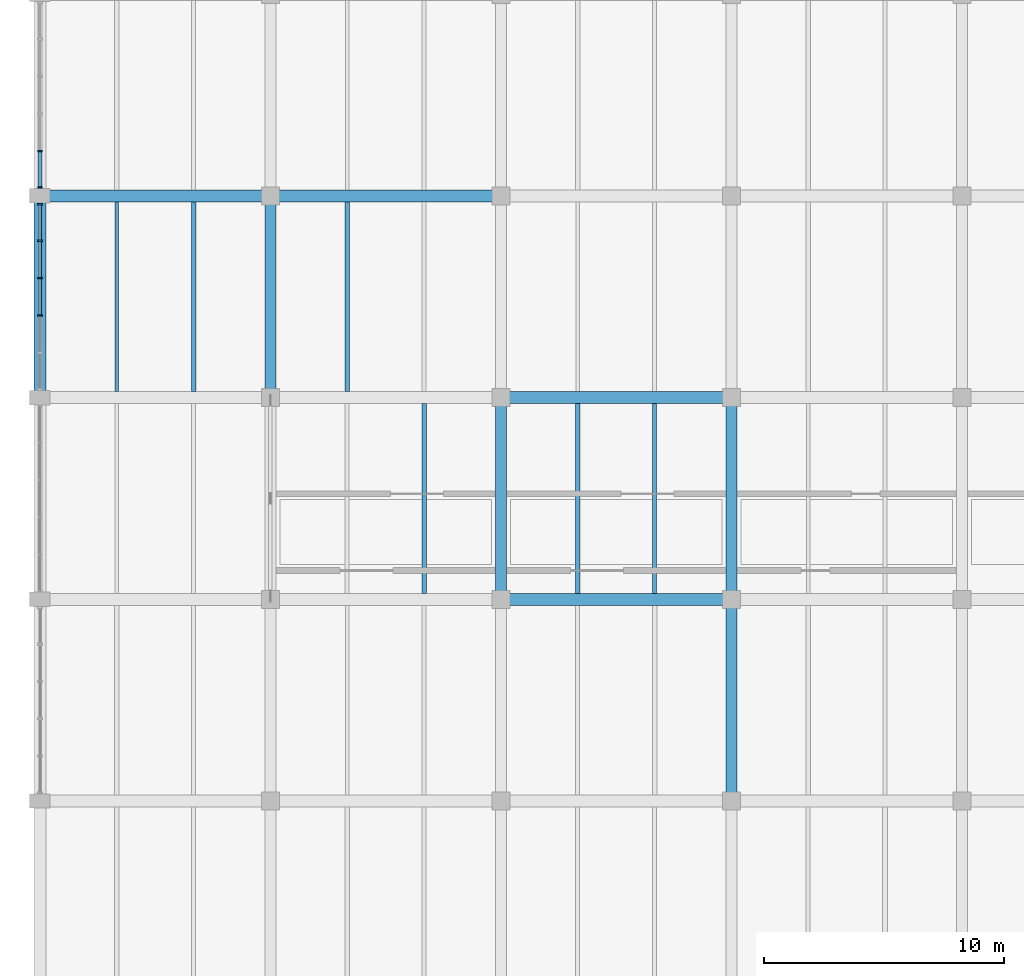
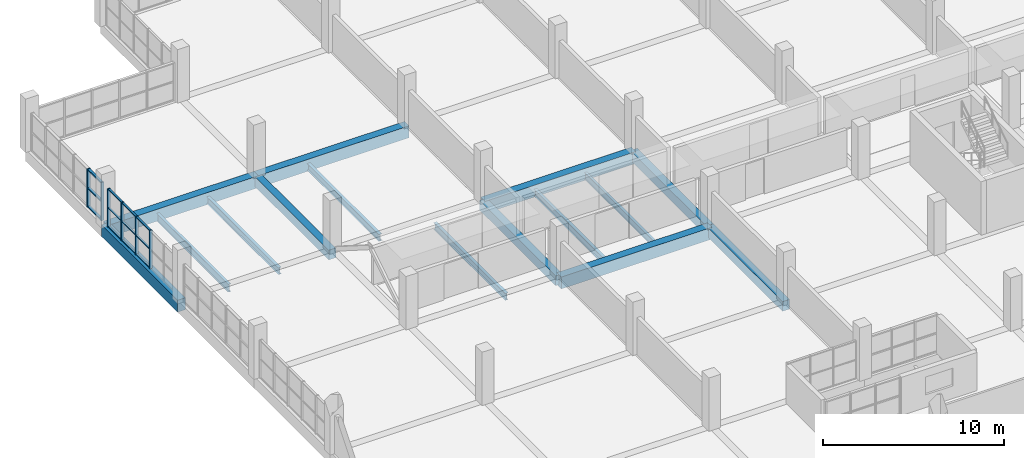
# One storey, part 38 of 147: 18 members, 15 beams, 2 elements without a shape of their own.
"""IFC4 building model written with IfcOpenShell, lengths in metres."""

import ifcopenshell
import ifcopenshell.guid

model = None  # the IFC model being written
_history = None  # IfcOwnerHistory: only IFC2X3 demands one
_inside = {}  # id of a spatial element -> (the spatial element, [elements in it])
_under = {}  # id of a project, library or spatial element -> (it, [spatial elements below it])
_declared = {}  # id of a project -> (the project, [libraries it declares])
_typed = {}  # id of a type object -> (the type object, [elements of that type])
_made_of = {}  # id of a material, layer set ... -> (it, [elements and type objects made of it])


def new_model(schema):
    """Start an empty IFC model of exactly this schema.

    Asked for "IFC4X3", IfcOpenShell would pick the latest addendum, in which some entities
    have other attributes; the version numbers below select the first issue.
    IFC2X3 requires an IfcOwnerHistory on every rooted entity: one is made here for all.
    """
    global model, _history
    if schema == "IFC4X3":
        model = ifcopenshell.file(schema_version=(4, 3, 0, 0))
    else:
        model = ifcopenshell.file(schema=schema)
    _inside.clear()
    _under.clear()
    _declared.clear()
    _typed.clear()
    _made_of.clear()
    _history = None
    if model.schema == "IFC2X3":
        org = make("IfcOrganization", Name="unknown")
        user = make(
            "IfcPersonAndOrganization",
            ThePerson=make("IfcPerson", FamilyName="unknown"),
            TheOrganization=org,
        )
        app = make(
            "IfcApplication",
            ApplicationDeveloper=org,
            Version="unknown",
            ApplicationFullName="unknown",
            ApplicationIdentifier="unknown",
        )
        _history = make(
            "IfcOwnerHistory",
            OwningUser=user,
            OwningApplication=app,
            ChangeAction="ADDED",
            CreationDate=0,
        )
    return model


def make(cls, **values):
    """One entity of the class cls with the attributes given. An attribute that is None is left unset."""
    return model.create_entity(
        cls, **{name: value for name, value in values.items() if value is not None}
    )


def rooted(cls, **values):
    """An entity with a GlobalId (a new one), such as an element, a storey or a relation."""
    return make(cls, GlobalId=ifcopenshell.guid.new(), OwnerHistory=_history, **values)


def si_unit(unit_type, name, prefix=None):
    """IfcSIUnit, for example si_unit("LENGTHUNIT", "METRE", prefix="MILLI")."""
    return make("IfcSIUnit", UnitType=unit_type, Prefix=prefix, Name=name)


def assignment(units):
    """IfcUnitAssignment: the units of a project."""
    return None if units is None else make("IfcUnitAssignment", Units=units)


def point(xyz):
    """IfcCartesianPoint."""
    return None if xyz is None else make("IfcCartesianPoint", Coordinates=xyz)


def direction(xyz):
    """IfcDirection."""
    return None if xyz is None else make("IfcDirection", DirectionRatios=xyz)


def frame(location, z_axis=None, x_axis=None):
    """IfcAxis2Placement3D, a coordinate frame: its origin and axes. An axis left out is left unset."""
    return make(
        "IfcAxis2Placement3D",
        Location=point(location),
        Axis=direction(z_axis),
        RefDirection=direction(x_axis),
    )


def frame_2d(location, x_axis=None):
    """IfcAxis2Placement2D, a coordinate frame in the plane: its origin and x axis."""
    return make(
        "IfcAxis2Placement2D", Location=point(location), RefDirection=direction(x_axis)
    )


def origin():
    """The frame at (0, 0, 0) with its axes left unset."""
    return frame((0.0, 0.0, 0.0))


def origin_2d():
    """The frame at (0, 0) in the plane with its x axis left unset."""
    return frame_2d((0.0, 0.0))


def place(relative_to, where):
    """IfcLocalPlacement: puts the frame where relative to a parent placement (None: the world)."""
    return make(
        "IfcLocalPlacement", PlacementRelTo=relative_to, RelativePlacement=where
    )


def context(
    kind, dimensions, precision=None, world=None, true_north=None, identifier=None
):
    """IfcGeometricRepresentationContext, for example the 3D "Model" context."""
    return make(
        "IfcGeometricRepresentationContext",
        ContextIdentifier=identifier,
        ContextType=kind,
        CoordinateSpaceDimension=dimensions,
        Precision=precision,
        WorldCoordinateSystem=world,
        TrueNorth=true_north,
    )


def subcontext(parent, identifier, kind, view, scale=None):
    """IfcGeometricRepresentationSubContext, for example "Body" below "Model"."""
    return make(
        "IfcGeometricRepresentationSubContext",
        ContextIdentifier=identifier,
        ContextType=kind,
        ParentContext=parent,
        TargetScale=scale,
        TargetView=view,
    )


def project(units=None, contexts=None):
    """IfcProject with its units and contexts."""
    return rooted(
        "IfcProject",
        Name="project",
        RepresentationContexts=contexts,
        UnitsInContext=assignment(units),
    )


def spatial(cls, under=None, at=None, **own):
    """A site, building, storey or space (cls), placed at a placement, below another one or the project."""
    s = rooted(cls, ObjectPlacement=at, **own)
    if under is not None:
        _under.setdefault(under.id(), (under, []))[1].append(s)
    return s


def profile(cls, at=None, kind="AREA", **sizes):
    """A parametric profile (cls). Its sizes go by their IFC names, for example OverallWidth=200.0."""
    return make(cls, ProfileType=kind, Position=at, **sizes)


def rectangle(**sizes):
    """IfcRectangleProfileDef."""
    return profile("IfcRectangleProfileDef", **sizes)


def i_section(**sizes):
    """IfcIShapeProfileDef."""
    return profile("IfcIShapeProfileDef", **sizes)


def extrude(swept, where, along, depth):
    """IfcExtrudedAreaSolid: the profile swept, set in the frame where, extruded along a direction by depth."""
    return make(
        "IfcExtrudedAreaSolid",
        SweptArea=swept,
        Position=where,
        ExtrudedDirection=direction(along),
        Depth=depth,
    )


def shape(context_of_items, identifier, shape_type, items):
    """IfcShapeRepresentation: the items that make up one representation, for example the "Body"."""
    return make(
        "IfcShapeRepresentation",
        ContextOfItems=context_of_items,
        RepresentationIdentifier=identifier,
        RepresentationType=shape_type,
        Items=items,
    )


def material(Name=None, Category=None):
    """IfcMaterial."""
    return make("IfcMaterial", Name=Name, Category=Category)


def material_profile(
    of_material, cross_section, Name=None, Category=None, Priority=None
):
    """IfcMaterialProfile: a cross section and its material."""
    return make(
        "IfcMaterialProfile",
        Name=Name,
        Material=of_material,
        Profile=cross_section,
        Priority=Priority,
        Category=Category,
    )


def profile_set(profiles, Name=None, composite=None):
    """IfcMaterialProfileSet."""
    return make(
        "IfcMaterialProfileSet",
        Name=Name,
        MaterialProfiles=profiles,
        CompositeProfile=composite,
    )


def made_of(thing, what):
    """Note that an element or type object is made of a material, layer set ...; save() writes the relation."""
    if what is not None:
        _made_of.setdefault(what.id(), (what, []))[1].append(thing)
    return thing


def type_object(cls, material=None, **own):
    """A type object (cls), such as IfcWallType, which elements share."""
    return made_of(rooted(cls, **own), material)


def element(
    cls,
    number,
    at=None,
    inside=None,
    cuts=None,
    type_object=None,
    material=None,
    context=None,
    identifier="Body",
    shape_type=None,
    held_by="IfcProductDefinitionShape",
    body=None,
    shapes=None,
    **own,
):
    """One element of the class cls, such as IfcWall. Its Tag is "e" and its number.

    at: its placement. inside: the storey or other place that contains it. cuts: it is an
    opening in that element (IfcRelVoidsElement). A single representation is given by context,
    identifier, shape_type and body (its items); several are given by shapes. held_by: the class
    of the entity that holds the representations. save() writes the other relations.
    """
    e = rooted(cls, Tag="e%d" % number, ObjectPlacement=at, **own)
    if body is not None:
        shapes = [shape(context, identifier, shape_type, body)]
    if shapes is not None:
        e.Representation = make(held_by, Representations=shapes)
    if inside is not None:
        _inside.setdefault(inside.id(), (inside, []))[1].append(e)
    if cuts is not None:
        rooted(
            "IfcRelVoidsElement", RelatingBuildingElement=cuts, RelatedOpeningElement=e
        )
    if type_object is not None:
        _typed.setdefault(type_object.id(), (type_object, []))[1].append(e)
    return made_of(e, material)


def aggregate(whole, parts):
    """IfcRelAggregates: a whole, such as a stair, and the parts it consists of."""
    return rooted("IfcRelAggregates", RelatingObject=whole, RelatedObjects=parts)


def save(model, path):
    """Write the relations noted so far, then the file.

    IfcRelAggregates (storeys below a building ...), IfcRelContainedInSpatialStructure (elements
    in a storey), IfcRelDefinesByType, IfcRelAssociatesMaterial and IfcRelDeclares: one each for
    every whole, place, type object, material and project.
    """
    for whole, parts in _under.values():
        aggregate(whole, parts)
    for where, things in _inside.values():
        rooted(
            "IfcRelContainedInSpatialStructure",
            RelatedElements=things,
            RelatingStructure=where,
        )
    for kind, things in _typed.values():
        rooted("IfcRelDefinesByType", RelatedObjects=things, RelatingType=kind)
    for what, things in _made_of.values():
        rooted("IfcRelAssociatesMaterial", RelatedObjects=things, RelatingMaterial=what)
    for by, libraries in _declared.values():
        rooted("IfcRelDeclares", RelatingContext=by, RelatedDefinitions=libraries)
    model.write(path)


model = new_model("IFC4")

# Units and contexts
model_context = context("Model", 3, precision=1e-05, world=origin(), true_north=direction((0.0, 1.0)))
body_context = subcontext(model_context, "Body", "Model", "MODEL_VIEW")
ifc_project = project(units=[si_unit("LENGTHUNIT", "METRE"), si_unit("AREAUNIT", "SQUARE_METRE"), si_unit("VOLUMEUNIT", "CUBIC_METRE"), si_unit("PLANEANGLEUNIT", "RADIAN"), si_unit("MASSUNIT", "GRAM", prefix="KILO")], contexts=[model_context])

# Site, building, storey
site_placement = place(None, origin())
site = spatial("IfcSite", under=ifc_project, at=site_placement, CompositionType="ELEMENT")
building_placement = place(site_placement, origin())
building = spatial("IfcBuilding", under=site, at=building_placement, Name="Oolite Switchyard Hospital", CompositionType="ELEMENT")
storey_placement = place(building_placement, frame((0.0, 0.0, 9.89990234375)))
storey = spatial("IfcBuildingStorey", under=building, at=storey_placement, Name="L02", CompositionType="ELEMENT", Elevation=9.89990234375)

# Beams
ifc_material_1 = material(Name="Concrete C40/50", Category="concrete")
ifc_material_profile_1 = material_profile(ifc_material_1, rectangle(XDim=0.449951171875, YDim=0.64990234375, at=origin_2d()), Name="RCB450X650")
ifc_profile_set_1 = profile_set([ifc_material_profile_1], Name="Concrete C40/50")
beam_type_1 = type_object("IfcBeamType", Name="BM-RC450X650", PredefinedType="BEAM", material=ifc_profile_set_1)
beam_1_placement = place(storey_placement, frame((9.60009765625, 109.199951171875, -0.324951171875), z_axis=(0.0, 1.0, 0.0), x_axis=(-1.0, 0.0, 0.0)))
element("IfcBeam", 1, at=beam_1_placement, inside=storey, type_object=beam_type_1, Name="L02 Y-Girder 1274", PredefinedType="BEAM", context=body_context, shape_type="SweptSolid", body=[
    extrude(rectangle(XDim=0.449951171875, YDim=0.64990234375, at=origin_2d()), origin(), (0.0, 0.0, 1.0), 8.400146484375),
])
beam_2_placement = place(storey_placement, frame((19.199951171875, 100.800048828125, -0.324951171875), z_axis=(0.0, 1.0, 0.0), x_axis=(-1.0, 0.0, 0.0)))
element("IfcBeam", 2, at=beam_2_placement, inside=storey, type_object=beam_type_1, Name="L02 Y-Girder 1289", PredefinedType="BEAM", context=body_context, shape_type="SweptSolid", body=[
    extrude(rectangle(XDim=0.449951171875, YDim=0.64990234375, at=origin_2d()), origin(), (0.0, 0.0, 1.0), 8.39990234375),
])
beam_3_placement = place(storey_placement, frame((28.800048828125, 92.39990234375, -0.324951171875), z_axis=(0.0, 1.0, 0.0), x_axis=(-1.0, 0.0, 0.0)))
element("IfcBeam", 3, at=beam_3_placement, inside=storey, type_object=beam_type_1, Name="L02 Y-Girder 1303", PredefinedType="BEAM", context=body_context, shape_type="SweptSolid", body=[
    extrude(rectangle(XDim=0.449951171875, YDim=0.64990234375, at=origin_2d()), origin(), (0.0, 0.0, 1.0), 8.400146484375),
])
beam_4_placement = place(storey_placement, frame((28.800048828125, 100.800048828125, -0.324951171875), z_axis=(0.0, 1.0, 0.0), x_axis=(-1.0, 0.0, 0.0)))
element("IfcBeam", 4, at=beam_4_placement, inside=storey, type_object=beam_type_1, Name="L02 Y-Girder 1304", PredefinedType="BEAM", context=body_context, shape_type="SweptSolid", body=[
    extrude(rectangle(XDim=0.449951171875, YDim=0.64990234375, at=origin_2d()), origin(), (0.0, 0.0, 1.0), 8.39990234375),
])
ifc_material_profile_2 = material_profile(ifc_material_1, rectangle(XDim=0.5, YDim=0.800048828125, at=origin_2d()), Name="RCB500X800")
ifc_profile_set_2 = profile_set([ifc_material_profile_2], Name="Concrete C40/50")
beam_type_2 = type_object("IfcBeamType", Name="BM-RC500X800", PredefinedType="BEAM", material=ifc_profile_set_2)
for number, where, z_axis, x_axis, name in (
    (5, (19.199951171875, 100.800048828125, -0.39990234375), (1.0, 0.0, 0.0), (0.0, 1.0, 0.0), "L02 X-Girder 1162"),
    (6, (19.199951171875, 109.199951171875, -0.39990234375), (1.0, 0.0, 0.0), (0.0, 1.0, 0.0), "L02 X-Girder 1183"),
    (7, (0.0, 117.60009765625, -0.39990234375), (1.0, 0.0, 0.0), (0.0, 1.0, 0.0), "L02 X-Girder 1203"),
):
    element("IfcBeam", number, at=place(storey_placement, frame(where, z_axis=z_axis, x_axis=x_axis)), inside=storey, type_object=beam_type_2, Name=name, PredefinedType="BEAM", context=body_context, shape_type="SweptSolid", body=[
        extrude(rectangle(XDim=0.5, YDim=0.800048828125, at=origin_2d()), origin(), (0.0, 0.0, 1.0), 9.60009765625),
    ])
beam_5_placement = place(storey_placement, frame((9.60009765625, 117.60009765625, -0.39990234375), z_axis=(1.0, 0.0, 0.0), x_axis=(0.0, 1.0, 0.0)))
element("IfcBeam", 8, at=beam_5_placement, inside=storey, type_object=beam_type_2, Name="L02 X-Girder 1204", PredefinedType="BEAM", context=body_context, shape_type="SweptSolid", body=[
    extrude(rectangle(XDim=0.5, YDim=0.800048828125, at=origin_2d()), origin(), (0.0, 0.0, 1.0), 9.599853515625),
])
beam_6_placement = place(storey_placement, frame((0.0, 109.199951171875, -0.39990234375), z_axis=(0.0, 1.0, 0.0), x_axis=(-1.0, 0.0, 0.0)))
element("IfcBeam", 9, at=beam_6_placement, inside=storey, type_object=beam_type_2, Name="L02 Y-Girder 1261", PredefinedType="BEAM", context=body_context, shape_type="SweptSolid", body=[
    extrude(rectangle(XDim=0.5, YDim=0.800048828125, at=origin_2d()), origin(), (0.0, 0.0, 1.0), 8.400146484375),
])
ifc_material_2 = material(Name="Steel ASTM A992 Grade 50", Category="steel")
ifc_material_profile_3 = material_profile(ifc_material_2, i_section(OverallWidth=0.153076171875, OverallDepth=0.455078125, WebThickness=0.008056640625, FlangeThickness=0.012939453125, at=origin_2d()), Name="W18X40")
ifc_profile_set_3 = profile_set([ifc_material_profile_3], Name="Steel ASTM A992 Grade 50")
beam_type_3 = type_object("IfcBeamType", Name="BM-W18X40", PredefinedType="JOIST", material=ifc_profile_set_3)
beam_7_placement = place(storey_placement, frame((25.60009765625, 101.050048828125, -0.48681640625), z_axis=(0.0, 1.0, 0.0), x_axis=(-1.0, 0.0, 0.0)))
element("IfcBeam", 10, at=beam_7_placement, inside=storey, type_object=beam_type_3, Name="L02 Secondary Steel Joist 1585", PredefinedType="JOIST", context=body_context, shape_type="SweptSolid", body=[
    extrude(i_section(OverallWidth=0.153076171875, OverallDepth=0.455078125, WebThickness=0.008056640625, FlangeThickness=0.012939453125, at=origin_2d()), origin(), (0.0, 0.0, 1.0), 7.89990234375),
])
ifc_material_profile_4 = material_profile(ifc_material_2, i_section(OverallWidth=0.19091796875, OverallDepth=0.4599609375, WebThickness=0.010009765625, FlangeThickness=0.01611328125, at=origin_2d()), Name="W18X55")
ifc_profile_set_4 = profile_set([ifc_material_profile_4], Name="Steel ASTM A992 Grade 50")
beam_type_4 = type_object("IfcBeamType", Name="BM-W18X55", PredefinedType="JOIST", material=ifc_profile_set_4)
beam_8_placement = place(storey_placement, frame((6.39990234375, 109.449951171875, -0.489990234375), z_axis=(0.0, 1.0, 0.0), x_axis=(-1.0, 0.0, 0.0)))
element("IfcBeam", 11, at=beam_8_placement, inside=storey, type_object=beam_type_4, Name="L02 Secondary Steel Joist 1533", PredefinedType="JOIST", context=body_context, shape_type="SweptSolid", body=[
    extrude(i_section(OverallWidth=0.19091796875, OverallDepth=0.4599609375, WebThickness=0.010009765625, FlangeThickness=0.01611328125, at=origin_2d()), origin(), (0.0, 0.0, 1.0), 7.900146484375),
])
beam_9_placement = place(storey_placement, frame((16.0, 101.050048828125, -0.489990234375), z_axis=(0.0, 1.0, 0.0), x_axis=(-1.0, 0.0, 0.0)))
element("IfcBeam", 12, at=beam_9_placement, inside=storey, type_object=beam_type_4, Name="L02 Secondary Steel Joist 1557", PredefinedType="JOIST", context=body_context, shape_type="SweptSolid", body=[
    extrude(i_section(OverallWidth=0.19091796875, OverallDepth=0.4599609375, WebThickness=0.010009765625, FlangeThickness=0.01611328125, at=origin_2d()), origin(), (0.0, 0.0, 1.0), 7.89990234375),
])
beam_10_placement = place(storey_placement, frame((12.800048828125, 109.449951171875, -0.489990234375), z_axis=(0.0, 1.0, 0.0), x_axis=(-1.0, 0.0, 0.0)))
element("IfcBeam", 13, at=beam_10_placement, inside=storey, type_object=beam_type_4, Name="L02 Secondary Steel Joist 1558", PredefinedType="JOIST", context=body_context, shape_type="SweptSolid", body=[
    extrude(i_section(OverallWidth=0.19091796875, OverallDepth=0.4599609375, WebThickness=0.010009765625, FlangeThickness=0.01611328125, at=origin_2d()), origin(), (0.0, 0.0, 1.0), 7.900146484375),
])
beam_11_placement = place(storey_placement, frame((22.39990234375, 101.050048828125, -0.489990234375), z_axis=(0.0, 1.0, 0.0), x_axis=(-1.0, 0.0, 0.0)))
element("IfcBeam", 14, at=beam_11_placement, inside=storey, type_object=beam_type_4, Name="L02 Secondary Steel Joist 1584", PredefinedType="JOIST", context=body_context, shape_type="SweptSolid", body=[
    extrude(i_section(OverallWidth=0.19091796875, OverallDepth=0.4599609375, WebThickness=0.010009765625, FlangeThickness=0.01611328125, at=origin_2d()), origin(), (0.0, 0.0, 1.0), 7.89990234375),
])
ifc_material_profile_5 = material_profile(ifc_material_2, i_section(OverallWidth=0.166015625, OverallDepth=0.529052734375, WebThickness=0.010009765625, FlangeThickness=0.013916015625, at=origin_2d()), Name="W21X50")
ifc_profile_set_5 = profile_set([ifc_material_profile_5], Name="Steel ASTM A992 Grade 50")
beam_type_5 = type_object("IfcBeamType", Name="BM-W21X50", PredefinedType="JOIST", material=ifc_profile_set_5)
beam_12_placement = place(storey_placement, frame((3.199951171875, 109.449951171875, -0.52392578125), z_axis=(0.0, 1.0, 0.0), x_axis=(-1.0, 0.0, 0.0)))
element("IfcBeam", 15, at=beam_12_placement, inside=storey, type_object=beam_type_5, Name="L02 Secondary Steel Joist 1532", PredefinedType="JOIST", context=body_context, shape_type="SweptSolid", body=[
    extrude(i_section(OverallWidth=0.166015625, OverallDepth=0.529052734375, WebThickness=0.010009765625, FlangeThickness=0.013916015625, at=origin_2d()), origin(), (0.0, 0.0, 1.0), 7.900146484375),
])

# Curtain wall, members
ifc_material_3 = material(Name="Thermally broken aluminum frame with laminated impact glazing", Category="aluminium")
curtain_wall_type = type_object("IfcCurtainWallType", Name="CW-UNIT-84X36", PredefinedType="USERDEFINED", material=ifc_material_3)
curtain_wall_1_placement = place(storey_placement, origin())
curtain_wall_1 = element("IfcCurtainWall", 16, at=curtain_wall_1_placement, inside=storey, type_object=curtain_wall_type, Name="L02 Unitised Curtain Wall 278", ObjectType="UNITISED", PredefinedType="USERDEFINED")
ifc_material_4 = material(Name="Aluminium 6063-T6", Category="aluminium")
ifc_material_profile_6 = material_profile(ifc_material_4, rectangle(XDim=0.179931640625, YDim=0.070068359375, at=origin_2d()), Name="CWM70X180")
ifc_profile_set_6 = profile_set([ifc_material_profile_6], Name="Aluminium 6063-T6")
member_type_1 = type_object("IfcMemberType", Name="CW-MUL-220", PredefinedType="MULLION", material=ifc_profile_set_6)
member_1_placement = place(storey_placement, frame((0.0, 112.623046875, 0.0), z_axis=(0.0, 0.0, 1.0), x_axis=(-1.0, 0.0, 0.0)))
member_1 = element("IfcMember", 17, at=member_1_placement, type_object=member_type_1, Name="CW-08 mullion 3", PredefinedType="MULLION", context=body_context, shape_type="SweptSolid", body=[
    extrude(rectangle(XDim=0.179931640625, YDim=0.070068359375, at=origin_2d()), origin(), (0.0, 0.0, 1.0), 2.570068359375),
])
member_2_placement = place(storey_placement, frame((0.0, 114.177001953125, 0.0), z_axis=(0.0, 0.0, 1.0), x_axis=(-1.0, 0.0, 0.0)))
member_2 = element("IfcMember", 18, at=member_2_placement, type_object=member_type_1, Name="CW-08 mullion 4", PredefinedType="MULLION", context=body_context, shape_type="SweptSolid", body=[
    extrude(rectangle(XDim=0.179931640625, YDim=0.070068359375, at=origin_2d()), origin(), (0.0, 0.0, 1.0), 2.570068359375),
])
member_3_placement = place(storey_placement, frame((0.0, 115.73095703125, 0.0), z_axis=(0.0, 0.0, 1.0), x_axis=(-1.0, 0.0, 0.0)))
member_3 = element("IfcMember", 19, at=member_3_placement, type_object=member_type_1, Name="CW-08 mullion 5", PredefinedType="MULLION", context=body_context, shape_type="SweptSolid", body=[
    extrude(rectangle(XDim=0.179931640625, YDim=0.070068359375, at=origin_2d()), origin(), (0.0, 0.0, 1.0), 2.570068359375),
])
member_4_placement = place(storey_placement, frame((0.0, 117.25, 0.0), z_axis=(0.0, 0.0, 1.0), x_axis=(-1.0, 0.0, 0.0)))
member_4 = element("IfcMember", 20, at=member_4_placement, type_object=member_type_1, Name="CW-08 mullion 6", PredefinedType="MULLION", context=body_context, shape_type="SweptSolid", body=[
    extrude(rectangle(XDim=0.179931640625, YDim=0.070068359375, at=origin_2d()), origin(), (0.0, 0.0, 1.0), 2.570068359375),
])

curtain_wall_2_placement = place(storey_placement, origin())
curtain_wall_2 = element("IfcCurtainWall", 21, at=curtain_wall_2_placement, inside=storey, type_object=curtain_wall_type, Name="L02 Unitised Curtain Wall 279", ObjectType="UNITISED", PredefinedType="USERDEFINED")
ifc_material_profile_7 = material_profile(ifc_material_4, rectangle(XDim=0.199951171875, YDim=0.074951171875, at=origin_2d()), Name="CWM75X200")
ifc_profile_set_7 = profile_set([ifc_material_profile_7], Name="Aluminium 6063-T6")
member_type_2 = type_object("IfcMemberType", Name="CW-MUL-260", PredefinedType="MULLION", material=ifc_profile_set_7)
member_5_placement = place(storey_placement, frame((0.0, 117.952392578125, 0.0), z_axis=(0.0, 0.0, 1.0), x_axis=(-1.0, 0.0, 0.0)))
member_5 = element("IfcMember", 22, at=member_5_placement, type_object=member_type_2, Name="CW-08 mullion 1", PredefinedType="MULLION", context=body_context, shape_type="SweptSolid", body=[
    extrude(rectangle(XDim=0.199951171875, YDim=0.074951171875, at=origin_2d()), origin(), (0.0, 0.0, 1.0), 2.570068359375),
])
member_6_placement = place(storey_placement, frame((0.0, 119.468994140625, 0.0), z_axis=(0.0, 0.0, 1.0), x_axis=(-1.0, 0.0, 0.0)))
member_6 = element("IfcMember", 23, at=member_6_placement, type_object=member_type_2, Name="CW-08 mullion 2", PredefinedType="MULLION", context=body_context, shape_type="SweptSolid", body=[
    extrude(rectangle(XDim=0.199951171875, YDim=0.074951171875, at=origin_2d()), origin(), (0.0, 0.0, 1.0), 2.570068359375),
])

# Member
ifc_material_profile_8 = material_profile(ifc_material_4, rectangle(XDim=0.1201171875, YDim=0.06005859375, at=origin_2d()), Name="CWT60X120")
ifc_profile_set_8 = profile_set([ifc_material_profile_8], Name="Aluminium 6063-T6")
member_type_3 = type_object("IfcMemberType", Name="CW-TRN-150", PredefinedType="USERDEFINED", material=ifc_profile_set_8)
member_7_placement = place(storey_placement, frame((0.0, 112.657958984375, 0.030029296875), z_axis=(0.0, 1.0, 0.0), x_axis=(-1.0, 0.0, 0.0)))
member_7 = element("IfcMember", 24, at=member_7_placement, type_object=member_type_3, Name="CW-08 transom 3.1", ObjectType="TRANSOM", PredefinedType="USERDEFINED", context=body_context, shape_type="SweptSolid", body=[
    extrude(rectangle(XDim=0.1201171875, YDim=0.06005859375, at=origin_2d()), origin(), (0.0, 0.0, 1.0), 1.484130859375),
])

member_8_placement = place(storey_placement, frame((0.0, 112.657958984375, 1.28515625), z_axis=(0.0, 1.0, 0.0), x_axis=(-1.0, 0.0, 0.0)))
member_8 = element("IfcMember", 25, at=member_8_placement, type_object=member_type_3, Name="CW-08 transom 3.2", ObjectType="TRANSOM", PredefinedType="USERDEFINED", context=body_context, shape_type="SweptSolid", body=[
    extrude(rectangle(XDim=0.1201171875, YDim=0.06005859375, at=origin_2d()), origin(), (0.0, 0.0, 1.0), 1.484130859375),
])

member_9_placement = place(storey_placement, frame((0.0, 112.657958984375, 2.5400390625), z_axis=(0.0, 1.0, 0.0), x_axis=(-1.0, 0.0, 0.0)))
member_9 = element("IfcMember", 26, at=member_9_placement, type_object=member_type_3, Name="CW-08 transom 3.3", ObjectType="TRANSOM", PredefinedType="USERDEFINED", context=body_context, shape_type="SweptSolid", body=[
    extrude(rectangle(XDim=0.1201171875, YDim=0.06005859375, at=origin_2d()), origin(), (0.0, 0.0, 1.0), 1.484130859375),
])

member_10_placement = place(storey_placement, frame((0.0, 114.2119140625, 0.030029296875), z_axis=(0.0, 1.0, 0.0), x_axis=(-1.0, 0.0, 0.0)))
member_10 = element("IfcMember", 27, at=member_10_placement, type_object=member_type_3, Name="CW-08 transom 4.1", ObjectType="TRANSOM", PredefinedType="USERDEFINED", context=body_context, shape_type="SweptSolid", body=[
    extrude(rectangle(XDim=0.1201171875, YDim=0.06005859375, at=origin_2d()), origin(), (0.0, 0.0, 1.0), 1.484130859375),
])

member_11_placement = place(storey_placement, frame((0.0, 114.2119140625, 1.28515625), z_axis=(0.0, 1.0, 0.0), x_axis=(-1.0, 0.0, 0.0)))
member_11 = element("IfcMember", 28, at=member_11_placement, type_object=member_type_3, Name="CW-08 transom 4.2", ObjectType="TRANSOM", PredefinedType="USERDEFINED", context=body_context, shape_type="SweptSolid", body=[
    extrude(rectangle(XDim=0.1201171875, YDim=0.06005859375, at=origin_2d()), origin(), (0.0, 0.0, 1.0), 1.484130859375),
])

member_12_placement = place(storey_placement, frame((0.0, 114.2119140625, 2.5400390625), z_axis=(0.0, 1.0, 0.0), x_axis=(-1.0, 0.0, 0.0)))
member_12 = element("IfcMember", 29, at=member_12_placement, type_object=member_type_3, Name="CW-08 transom 4.3", ObjectType="TRANSOM", PredefinedType="USERDEFINED", context=body_context, shape_type="SweptSolid", body=[
    extrude(rectangle(XDim=0.1201171875, YDim=0.06005859375, at=origin_2d()), origin(), (0.0, 0.0, 1.0), 1.484130859375),
])

member_13_placement = place(storey_placement, frame((0.0, 115.76611328125, 0.030029296875), z_axis=(0.0, 1.0, 0.0), x_axis=(-1.0, 0.0, 0.0)))
member_13 = element("IfcMember", 30, at=member_13_placement, type_object=member_type_3, Name="CW-08 transom 5.1", ObjectType="TRANSOM", PredefinedType="USERDEFINED", context=body_context, shape_type="SweptSolid", body=[
    extrude(rectangle(XDim=0.1201171875, YDim=0.06005859375, at=origin_2d()), origin(), (0.0, 0.0, 1.0), 1.448974609375),
])

member_14_placement = place(storey_placement, frame((0.0, 115.76611328125, 1.28515625), z_axis=(0.0, 1.0, 0.0), x_axis=(-1.0, 0.0, 0.0)))
member_14 = element("IfcMember", 31, at=member_14_placement, type_object=member_type_3, Name="CW-08 transom 5.2", ObjectType="TRANSOM", PredefinedType="USERDEFINED", context=body_context, shape_type="SweptSolid", body=[
    extrude(rectangle(XDim=0.1201171875, YDim=0.06005859375, at=origin_2d()), origin(), (0.0, 0.0, 1.0), 1.448974609375),
])

member_15_placement = place(storey_placement, frame((0.0, 115.76611328125, 2.5400390625), z_axis=(0.0, 1.0, 0.0), x_axis=(-1.0, 0.0, 0.0)))
member_15 = element("IfcMember", 32, at=member_15_placement, type_object=member_type_3, Name="CW-08 transom 5.3", ObjectType="TRANSOM", PredefinedType="USERDEFINED", context=body_context, shape_type="SweptSolid", body=[
    extrude(rectangle(XDim=0.1201171875, YDim=0.06005859375, at=origin_2d()), origin(), (0.0, 0.0, 1.0), 1.448974609375),
])

aggregate(curtain_wall_1, [member_1, member_2, member_3, member_4, member_7, member_8, member_9, member_10, member_11, member_12, member_13, member_14, member_15])

ifc_material_profile_9 = material_profile(ifc_material_4, rectangle(XDim=0.159912109375, YDim=0.074951171875, at=origin_2d()), Name="CWT75X160")
ifc_profile_set_9 = profile_set([ifc_material_profile_9], Name="Aluminium 6063-T6")
member_type_4 = type_object("IfcMemberType", Name="CW-TRN-180", PredefinedType="USERDEFINED", material=ifc_profile_set_9)
member_16_placement = place(storey_placement, frame((0.0, 117.989990234375, 0.03759765625), z_axis=(0.0, 1.0, 0.0), x_axis=(-1.0, 0.0, 0.0)))
member_16 = element("IfcMember", 33, at=member_16_placement, type_object=member_type_4, Name="CW-08 transom 1.1", ObjectType="TRANSOM", PredefinedType="USERDEFINED", context=body_context, shape_type="SweptSolid", body=[
    extrude(rectangle(XDim=0.159912109375, YDim=0.074951171875, at=origin_2d()), origin(), (0.0, 0.0, 1.0), 1.44140625),
])

member_17_placement = place(storey_placement, frame((0.0, 117.989990234375, 1.28515625), z_axis=(0.0, 1.0, 0.0), x_axis=(-1.0, 0.0, 0.0)))
member_17 = element("IfcMember", 34, at=member_17_placement, type_object=member_type_4, Name="CW-08 transom 1.2", ObjectType="TRANSOM", PredefinedType="USERDEFINED", context=body_context, shape_type="SweptSolid", body=[
    extrude(rectangle(XDim=0.159912109375, YDim=0.074951171875, at=origin_2d()), origin(), (0.0, 0.0, 1.0), 1.44140625),
])

member_18_placement = place(storey_placement, frame((0.0, 117.989990234375, 2.53271484375), z_axis=(0.0, 1.0, 0.0), x_axis=(-1.0, 0.0, 0.0)))
member_18 = element("IfcMember", 35, at=member_18_placement, type_object=member_type_4, Name="CW-08 transom 1.3", ObjectType="TRANSOM", PredefinedType="USERDEFINED", context=body_context, shape_type="SweptSolid", body=[
    extrude(rectangle(XDim=0.159912109375, YDim=0.074951171875, at=origin_2d()), origin(), (0.0, 0.0, 1.0), 1.44140625),
])

aggregate(curtain_wall_2, [member_5, member_6, member_16, member_17, member_18])

save(model, "model.ifc")
